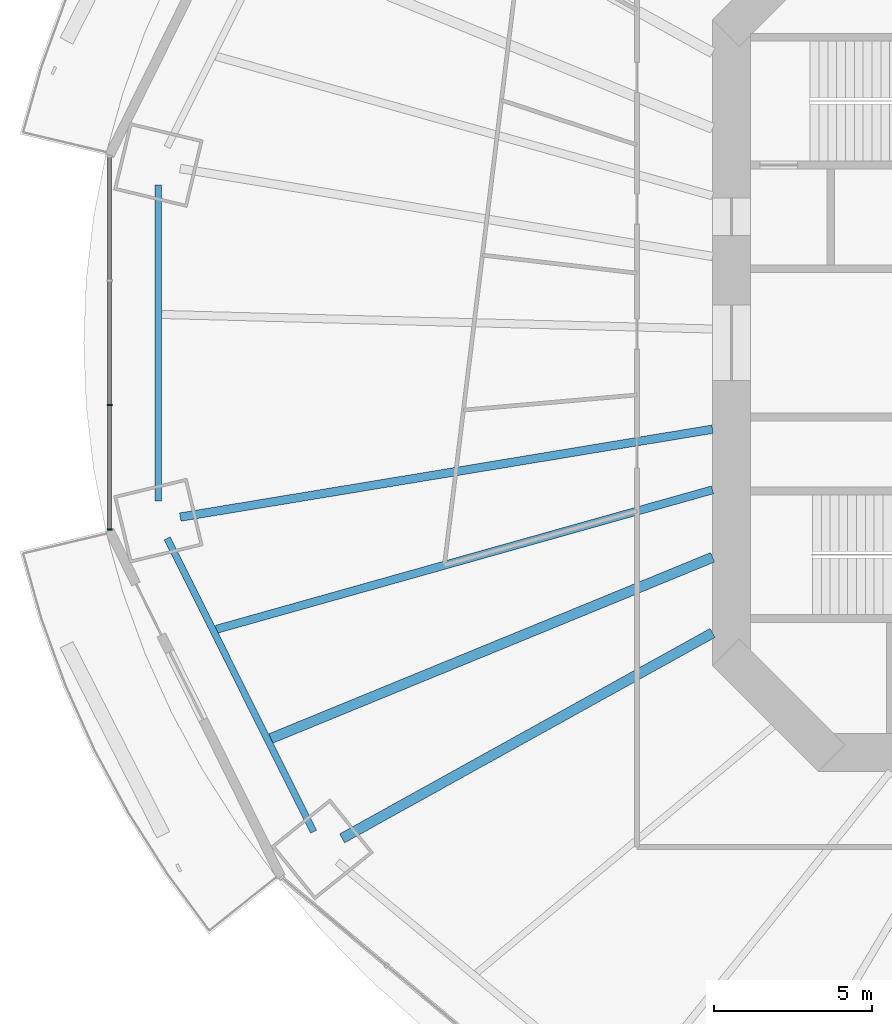
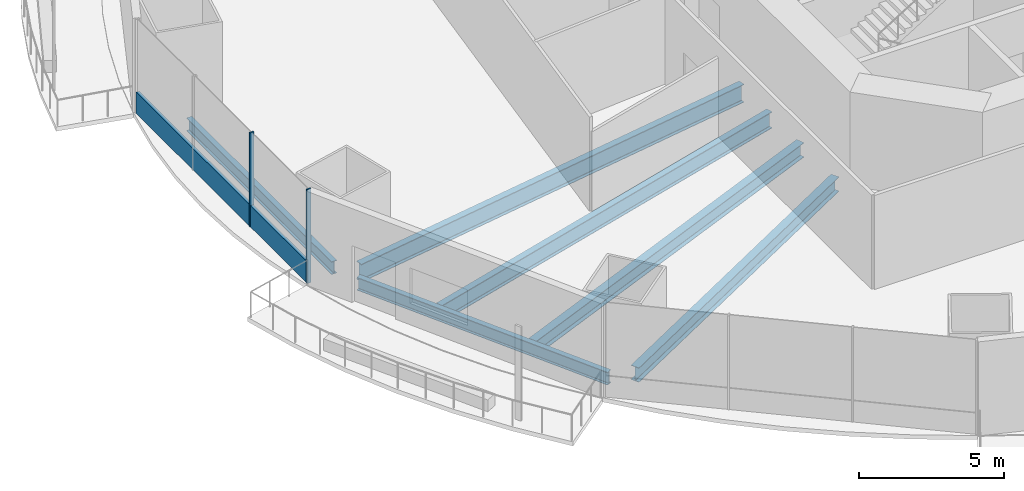
# One storey, part 3 of 23: 6 beams, 3 members, 1 element without a shape of its own.
"""IFC4 building model written with IfcOpenShell, lengths in metres."""

from ifc_helpers import new_model, si_unit, direction, frame, origin, origin_2d, place, context, subcontext, project, spatial, rectangle, i_section, extrude, material, material_profile, profile_set, type_object, element, aggregate, save


model = new_model("IFC4")

# Units and contexts
model_context = context("Model", 3, precision=1e-05, world=origin(), true_north=direction((0.0, 1.0)))
body_context = subcontext(model_context, "Body", "Model", "MODEL_VIEW")
ifc_project = project(units=[si_unit("LENGTHUNIT", "METRE"), si_unit("AREAUNIT", "SQUARE_METRE"), si_unit("VOLUMEUNIT", "CUBIC_METRE"), si_unit("PLANEANGLEUNIT", "RADIAN"), si_unit("MASSUNIT", "GRAM", prefix="KILO")], contexts=[model_context])

# Site, building, storey
site_placement = place(None, origin())
site = spatial("IfcSite", under=ifc_project, at=site_placement, CompositionType="ELEMENT")
building_placement = place(site_placement, origin())
building = spatial("IfcBuilding", under=site, at=building_placement, Name="Marenthal Gate Tower", CompositionType="ELEMENT")
storey_placement = place(building_placement, frame((0.0, 0.0, 53.75)))
storey = spatial("IfcBuildingStorey", under=building, at=storey_placement, Name="L09", CompositionType="ELEMENT", Elevation=53.75)

# Curtain wall, members
ifc_material_1 = material(Name="Aluminium and glass", Category="aluminium")
curtain_wall_type = type_object("IfcCurtainWallType", Name="Curtain wall typical low", PredefinedType="NOTDEFINED", material=ifc_material_1)
curtain_wall_placement = place(storey_placement, origin())
curtain_wall = element("IfcCurtainWall", 1, at=curtain_wall_placement, inside=storey, type_object=curtain_wall_type, Name="Curtain wall L09 bay 8", PredefinedType="NOTDEFINED")
ifc_material_2 = material(Name="Aluminium", Category="aluminium")
ifc_material_profile_1 = material_profile(ifc_material_2, rectangle(XDim=0.159912109375, YDim=0.06005859375, at=origin_2d()), Name="60x160 aluminium mullion")
ifc_profile_set_1 = profile_set([ifc_material_profile_1], Name="Aluminium")
member_type_1 = type_object("IfcMemberType", Name="Mullion 60x160 typical low", PredefinedType="MULLION", material=ifc_profile_set_1)
member_1_placement = place(storey_placement, frame((-35.73779296875, -1.974365234375, 0.0), z_axis=(0.0, 0.0, 1.0), x_axis=(1.0, 0.0, 0.0)))
member_1 = element("IfcMember", 2, at=member_1_placement, type_object=member_type_1, Name="Mullion L09 bay 8.3", PredefinedType="MULLION", context=body_context, shape_type="SweptSolid", body=[
    extrude(rectangle(XDim=0.159912109375, YDim=0.06005859375, at=origin_2d()), origin(), (0.0, 0.0, 1.0), 3.969970703125),
])
member_2_placement = place(storey_placement, frame((-35.73779296875, -5.923095703125, 0.0), z_axis=(0.0, 0.0, 1.0), x_axis=(1.0, 0.0, 0.0)))
member_2 = element("IfcMember", 3, at=member_2_placement, type_object=member_type_1, Name="Mullion L09 bay 8.4", PredefinedType="MULLION", context=body_context, shape_type="SweptSolid", body=[
    extrude(rectangle(XDim=0.159912109375, YDim=0.06005859375, at=origin_2d()), origin(), (0.0, 0.0, 1.0), 3.969970703125),
])
ifc_material_3 = material(Name="Aluminium", Category="aluminium")
ifc_material_profile_2 = material_profile(ifc_material_3, rectangle(XDim=0.1201171875, YDim=0.89990234375, at=origin_2d()), Name="120x900 aluminium transom")
ifc_profile_set_2 = profile_set([ifc_material_profile_2], Name="Aluminium")
member_type_2 = type_object("IfcMemberType", Name="Transom 120x900 typical low", PredefinedType="USERDEFINED", material=ifc_profile_set_2)
member_3_placement = place(storey_placement, frame((-35.73779296875, 5.893310546875, 0.449951171875), z_axis=(0.0, -1.0, 0.0), x_axis=(1.0, 0.0, 0.0)))
member_3 = element("IfcMember", 4, at=member_3_placement, type_object=member_type_2, Name="Transom L09 bay 8", ObjectType="TRANSOM", PredefinedType="USERDEFINED", context=body_context, shape_type="SweptSolid", body=[
    extrude(rectangle(XDim=0.1201171875, YDim=0.89990234375, at=origin_2d()), origin(), (0.0, 0.0, 1.0), 11.78662109375),
])
aggregate(curtain_wall, [member_1, member_2, member_3])

# Beams
ifc_material_4 = material(Name="Steel S355", Category="steel")
ifc_material_profile_3 = material_profile(ifc_material_4, i_section(OverallWidth=0.2119140625, OverallDepth=0.5439453125, WebThickness=0.01318359375, FlangeThickness=0.021240234375, FilletRadius=0.0126953125, at=origin_2d()), Name="W530X123")
ifc_profile_set_3 = profile_set([ifc_material_profile_3], Name="Steel S355")
beam_type_1 = type_object("IfcBeamType", Name="W530X123 beam", PredefinedType="BEAM", material=ifc_profile_set_3)
beam_1_placement = place(storey_placement, frame((-34.188232421875, 5.013916015625, -0.451904296875), z_axis=(0.0, -1.0, 0.0), x_axis=(1.0, 0.0, 0.0)))
element("IfcBeam", 5, at=beam_1_placement, inside=storey, type_object=beam_type_1, Name="BM-L09-48", PredefinedType="BEAM", context=body_context, shape_type="SweptSolid", body=[
    extrude(i_section(OverallWidth=0.2119140625, OverallDepth=0.5439453125, WebThickness=0.01318359375, FlangeThickness=0.021240234375, FilletRadius=0.0126953125, at=origin_2d()), origin(), (0.0, 0.0, 1.0), 10.02783203125),
])
beam_2_placement = place(storey_placement, frame((-33.9072265625, -6.207763671875, -0.451904296875), z_axis=(0.446499954542, -0.894783655748, 0.0), x_axis=(0.894783655748, 0.446499954542, 0.0)))
element("IfcBeam", 6, at=beam_2_placement, inside=storey, type_object=beam_type_1, Name="BM-L09-49", PredefinedType="BEAM", context=body_context, shape_type="SweptSolid", body=[
    extrude(i_section(OverallWidth=0.2119140625, OverallDepth=0.5439453125, WebThickness=0.01318359375, FlangeThickness=0.021240234375, FilletRadius=0.0126953125, at=origin_2d()), origin(), (0.0, 0.0, 1.0), 10.402099609375),
])
ifc_material_5 = material(Name="Steel S355", Category="steel")
ifc_material_profile_4 = material_profile(ifc_material_5, i_section(OverallWidth=0.324951171875, OverallDepth=0.612060546875, WebThickness=0.0126953125, FlangeThickness=0.01904296875, FilletRadius=0.0126953125, at=origin_2d()), Name="W610X155")
ifc_profile_set_4 = profile_set([ifc_material_profile_4], Name="Steel S355")
beam_type_2 = type_object("IfcBeamType", Name="W610X155 beam", PredefinedType="BEAM", material=ifc_profile_set_4)
beam_3_placement = place(storey_placement, frame((-28.355712890625, -15.727294921875, -0.486083984375), z_axis=(0.874492882968, 0.485038346565, 0.0), x_axis=(-0.485038346565, 0.874492882968, 0.0)))
element("IfcBeam", 7, at=beam_3_placement, inside=storey, type_object=beam_type_2, Name="BM-L09-10", PredefinedType="BEAM", context=body_context, shape_type="SweptSolid", body=[
    extrude(i_section(OverallWidth=0.324951171875, OverallDepth=0.612060546875, WebThickness=0.0126953125, FlangeThickness=0.01904296875, FilletRadius=0.0126953125, at=origin_2d()), origin(), (0.0, 0.0, 1.0), 13.44287109375),
])
beam_4_placement = place(storey_placement, frame((-30.6201171875, -12.55810546875, -0.486083984375), z_axis=(0.925210391668, 0.379454517894, 0.0), x_axis=(-0.379454517894, 0.925210391668, 0.0)))
element("IfcBeam", 8, at=beam_4_placement, inside=storey, type_object=beam_type_2, Name="BM-L09-30", PredefinedType="BEAM", context=body_context, shape_type="SweptSolid", body=[
    extrude(i_section(OverallWidth=0.324951171875, OverallDepth=0.612060546875, WebThickness=0.0126953125, FlangeThickness=0.01904296875, FilletRadius=0.0126953125, at=origin_2d()), origin(), (0.0, 0.0, 1.0), 15.1533203125),
])
ifc_material_6 = material(Name="Steel S355", Category="steel")
ifc_material_profile_5 = material_profile(ifc_material_6, i_section(OverallWidth=0.257080078125, OverallDepth=0.693115234375, WebThickness=0.014404296875, FlangeThickness=0.023681640625, FilletRadius=0.015380859375, at=origin_2d()), Name="W690X170")
ifc_profile_set_5 = profile_set([ifc_material_profile_5], Name="Steel S355")
beam_type_3 = type_object("IfcBeamType", Name="W690X170 beam", PredefinedType="BEAM", material=ifc_profile_set_5)
beam_5_placement = place(storey_placement, frame((-32.349365234375, -9.092529296875, -0.526611328125), z_axis=(0.962694320478, 0.27059128833, 0.0), x_axis=(-0.27059128833, 0.962694320478, 0.0)))
element("IfcBeam", 9, at=beam_5_placement, inside=storey, type_object=beam_type_3, Name="BM-L09-29", PredefinedType="BEAM", context=body_context, shape_type="SweptSolid", body=[
    extrude(i_section(OverallWidth=0.257080078125, OverallDepth=0.693115234375, WebThickness=0.014404296875, FlangeThickness=0.023681640625, FilletRadius=0.015380859375, at=origin_2d()), origin(), (0.0, 0.0, 1.0), 16.359619140625),
])
ifc_material_7 = material(Name="Steel S355", Category="steel")
ifc_material_profile_6 = material_profile(ifc_material_7, i_section(OverallWidth=0.26708984375, OverallDepth=0.761962890625, WebThickness=0.014404296875, FlangeThickness=0.021484375, FilletRadius=0.0166015625, at=origin_2d()), Name="W760X173")
ifc_profile_set_6 = profile_set([ifc_material_profile_6], Name="Steel S355")
beam_type_4 = type_object("IfcBeamType", Name="W760X173 beam", PredefinedType="BEAM", material=ifc_profile_set_6)
beam_6_placement = place(storey_placement, frame((-33.494384765625, -5.530517578125, -0.56103515625), z_axis=(0.986640584699, 0.162912113192, 0.0), x_axis=(-0.162912113192, 0.986640584699, 0.0)))
element("IfcBeam", 10, at=beam_6_placement, inside=storey, type_object=beam_type_4, Name="BM-L09-09", PredefinedType="BEAM", context=body_context, shape_type="SweptSolid", body=[
    extrude(i_section(OverallWidth=0.26708984375, OverallDepth=0.761962890625, WebThickness=0.014404296875, FlangeThickness=0.021484375, FilletRadius=0.0166015625, at=origin_2d()), origin(), (0.0, 0.0, 1.0), 17.123046875),
])

save(model, "model.ifc")
